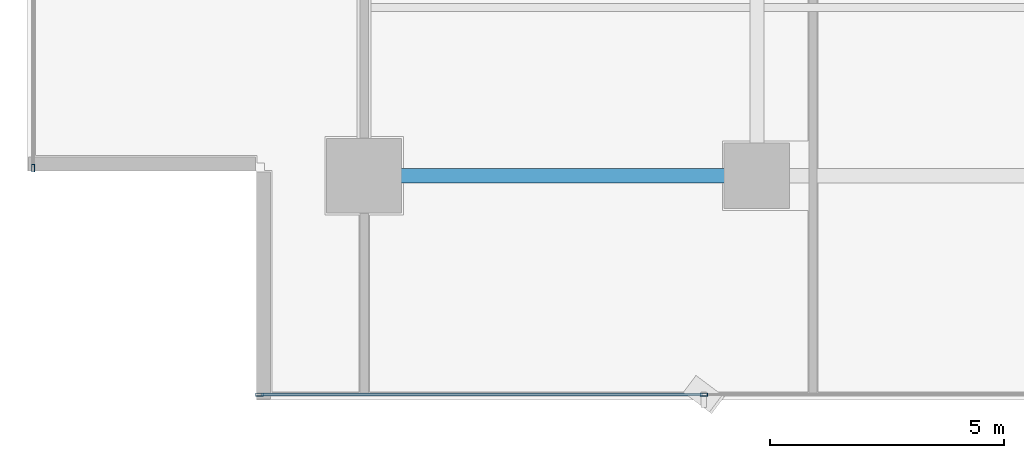
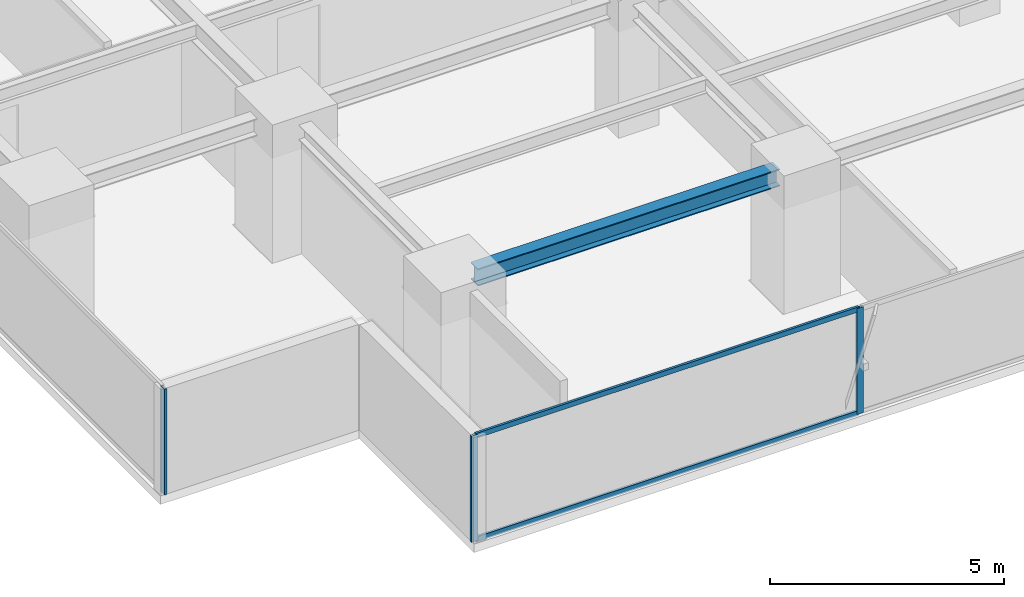
# One storey, part 2 of 28: 5 members, 1 beam, 2 elements without a shape of their own.
"""IFC4 building model written with IfcOpenShell, lengths in metres."""

from ifc_helpers import new_model, si_unit, direction, frame, origin, origin_2d, place, context, subcontext, project, spatial, hollow_rectangle, i_section, extrude, source, transform, mapped, material, layer, layer_set, material_profile, profile_set, type_object, element, aggregate, save


model = new_model("IFC4")

# Units and contexts
model_context = context("Model", 3, precision=1e-05, world=origin(), true_north=direction((0.0, 1.0)))
body_context = subcontext(model_context, "Body", "Model", "MODEL_VIEW")
ifc_project = project(units=[si_unit("LENGTHUNIT", "METRE"), si_unit("AREAUNIT", "SQUARE_METRE"), si_unit("VOLUMEUNIT", "CUBIC_METRE"), si_unit("PLANEANGLEUNIT", "RADIAN"), si_unit("MASSUNIT", "GRAM", prefix="KILO")], contexts=[model_context])

# Site, building, storey
site_placement = place(None, origin())
site = spatial("IfcSite", under=ifc_project, at=site_placement, CompositionType="ELEMENT")
building_placement = place(site_placement, origin())
building = spatial("IfcBuilding", under=site, at=building_placement, Name="Sumidabori Civic Tower", CompositionType="ELEMENT")
storey_placement = place(building_placement, frame((0.0, 0.0, 167.60009765625)))
storey = spatial("IfcBuildingStorey", under=building, at=storey_placement, Name="L43", CompositionType="ELEMENT", Elevation=167.60009765625)

# Beam
ifc_material_1 = material(Name="Steel SN490", Category="steel")
ifc_material_profile_1 = material_profile(ifc_material_1, i_section(OverallWidth=0.300048828125, OverallDepth=0.449951171875, WebThickness=0.013916015625, FlangeThickness=0.02587890625, at=origin_2d()), Name="HE 450 B")
ifc_profile_set_1 = profile_set([ifc_material_profile_1], Name="Steel SN490")
beam_type = type_object("IfcBeamType", Name="BM-GIRD-450", PredefinedType="BEAM", material=ifc_profile_set_1)
shared_shape_1 = source(origin(), body_context, "Body", "SweptSolid", [
    extrude(i_section(OverallWidth=0.300048828125, OverallDepth=0.449951171875, WebThickness=0.013916015625, FlangeThickness=0.02587890625, at=origin_2d()), origin(), (0.0, 0.0, 1.0), 7.440185546875),
])
beam_placement = place(storey_placement, frame((-16.320068359375, -18.0, 3.15478515625), z_axis=(1.0, 0.0, 0.0), x_axis=(0.0, 1.0, 0.0)))
element("IfcBeam", 1, at=beam_placement, inside=storey, type_object=beam_type, Name="Primary Girder L43 GX-01", PredefinedType="BEAM", context=body_context, shape_type="MappedRepresentation", body=[
    mapped(shared_shape_1, transform((0.0, 0.0, 0.0), x_axis=(1.0, 0.0, 0.0), y_axis=(0.0, 1.0, 0.0), z_axis=(0.0, 0.0, 1.0), scale=1.0)),
])

# Curtain wall, members
ifc_material_2 = material(Name="Anodised Bronze Aluminium AW-6063-T6", Category="aluminium")
ifc_layer = layer(ifc_material_2, 0.179931640625, Name="Anodised Bronze Aluminium AW-6063-T6")
ifc_layer_set = layer_set([ifc_layer], Name="Anodised Bronze Aluminium AW-6063-T6")
curtain_wall_type = type_object("IfcCurtainWallType", Name="CW-SYS-3", PredefinedType="NOTDEFINED", material=ifc_layer_set)
curtain_wall_1_placement = place(storey_placement, origin())
curtain_wall_1 = element("IfcCurtainWall", 2, at=curtain_wall_1_placement, inside=storey, type_object=curtain_wall_type, Name="Curtain Wall CW:L43:R01", PredefinedType="NOTDEFINED")
ifc_material_profile_2 = material_profile(ifc_material_2, hollow_rectangle(XDim=0.06494140625, YDim=0.159912109375, WallThickness=0.0048828125, at=origin_2d()), Name="ALU MULLION 160x65")
ifc_profile_set_2 = profile_set([ifc_material_profile_2], Name="Anodised Bronze Aluminium AW-6063-T6")
member_type_1 = type_object("IfcMemberType", Name="CW-MUL-160", PredefinedType="MULLION", material=ifc_profile_set_2)
shared_shape_2 = source(origin(), body_context, "Body", "SweptSolid", [
    extrude(hollow_rectangle(XDim=0.06494140625, YDim=0.159912109375, WallThickness=0.0048828125, at=origin_2d()), origin(), (0.0, 0.0, 1.0), 2.760009765625),
])
member_1_placement = place(storey_placement, frame((-19.03759765625, -22.679931640625, 0.0), z_axis=(0.0, 0.0, 1.0), x_axis=(0.0, 1.0, 0.0)))
member_1 = element("IfcMember", 3, at=member_1_placement, type_object=member_type_1, Name="CW-3 mullion 1", PredefinedType="MULLION", context=body_context, shape_type="MappedRepresentation", body=[
    mapped(shared_shape_2, transform((0.0, 0.0, 0.0), x_axis=(1.0, 0.0, 0.0), y_axis=(0.0, 1.0, 0.0), z_axis=(0.0, 0.0, 1.0), scale=1.0)),
])
member_2_placement = place(storey_placement, frame((-9.534912109375, -22.679931640625, 0.0), z_axis=(0.0, 0.0, 1.0), x_axis=(0.0, 1.0, 0.0)))
member_2 = element("IfcMember", 4, at=member_2_placement, type_object=member_type_1, Name="CW-3 mullion 2", PredefinedType="MULLION", context=body_context, shape_type="MappedRepresentation", body=[
    mapped(shared_shape_2, transform((0.0, 0.0, 0.0), x_axis=(1.0, 0.0, 0.0), y_axis=(0.0, 1.0, 0.0), z_axis=(0.0, 0.0, 1.0), scale=1.0)),
])

# Curtain wall, member
curtain_wall_2_placement = place(storey_placement, origin())
curtain_wall_2 = element("IfcCurtainWall", 5, at=curtain_wall_2_placement, inside=storey, type_object=curtain_wall_type, Name="Curtain Wall CW:L43:R10", PredefinedType="NOTDEFINED")
member_3_placement = place(storey_placement, frame((-23.8798828125, -17.83740234375, 0.0), z_axis=(0.0, 0.0, 1.0), x_axis=(1.0, 0.0, 0.0)))
member_3 = element("IfcMember", 6, at=member_3_placement, type_object=member_type_1, Name="CW-3 mullion 5", PredefinedType="MULLION", context=body_context, shape_type="MappedRepresentation", body=[
    mapped(shared_shape_2, transform((0.0, 0.0, 0.0), x_axis=(1.0, 0.0, 0.0), y_axis=(0.0, 1.0, 0.0), z_axis=(0.0, 0.0, 1.0), scale=1.0)),
])
aggregate(curtain_wall_2, [member_3])

# Member
ifc_material_profile_3 = material_profile(ifc_material_2, hollow_rectangle(XDim=0.06005859375, YDim=0.1298828125, WallThickness=0.0048828125, at=origin_2d()), Name="ALU TRANSOM 130x60")
ifc_profile_set_3 = profile_set([ifc_material_profile_3], Name="Anodised Bronze Aluminium AW-6063-T6")
member_type_2 = type_object("IfcMemberType", Name="CW-TRN-130", PredefinedType="USERDEFINED", material=ifc_profile_set_3)
shared_shape_3 = source(origin(), body_context, "Body", "SweptSolid", [
    extrude(hollow_rectangle(XDim=0.06005859375, YDim=0.1298828125, WallThickness=0.0048828125, at=origin_2d()), origin(), (0.0, 0.0, 1.0), 9.4375),
])
member_4_placement = place(storey_placement, frame((-19.0048828125, -22.679931640625, 0.02978515625), z_axis=(1.0, 0.0, 0.0), x_axis=(0.0, 1.0, 0.0)))
member_4 = element("IfcMember", 7, at=member_4_placement, type_object=member_type_2, Name="CW-3 transom 1.1", ObjectType="TRANSOM", PredefinedType="USERDEFINED", context=body_context, shape_type="MappedRepresentation", body=[
    mapped(shared_shape_3, transform((0.0, 0.0, 0.0), x_axis=(1.0, 0.0, 0.0), y_axis=(0.0, 1.0, 0.0), z_axis=(0.0, 0.0, 1.0), scale=1.0)),
])

member_5_placement = place(storey_placement, frame((-19.0048828125, -22.679931640625, 2.72998046875), z_axis=(1.0, 0.0, 0.0), x_axis=(0.0, 1.0, 0.0)))
member_5 = element("IfcMember", 8, at=member_5_placement, type_object=member_type_2, Name="CW-3 transom 1.2", ObjectType="TRANSOM", PredefinedType="USERDEFINED", context=body_context, shape_type="MappedRepresentation", body=[
    mapped(shared_shape_3, transform((0.0, 0.0, 0.0), x_axis=(1.0, 0.0, 0.0), y_axis=(0.0, 1.0, 0.0), z_axis=(0.0, 0.0, 1.0), scale=1.0)),
])

aggregate(curtain_wall_1, [member_1, member_2, member_4, member_5])

save(model, "model.ifc")
